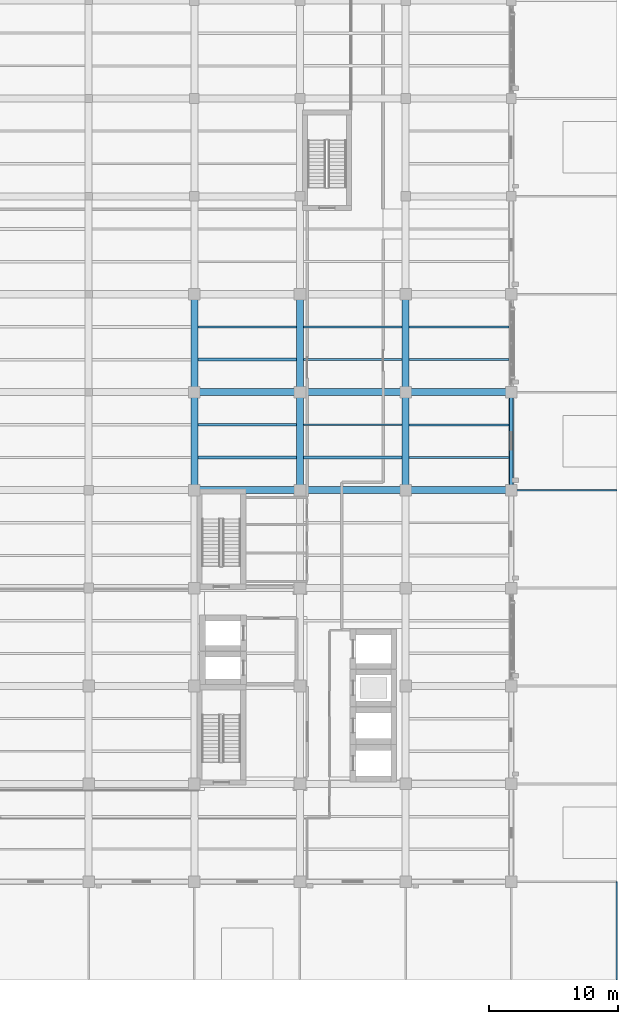
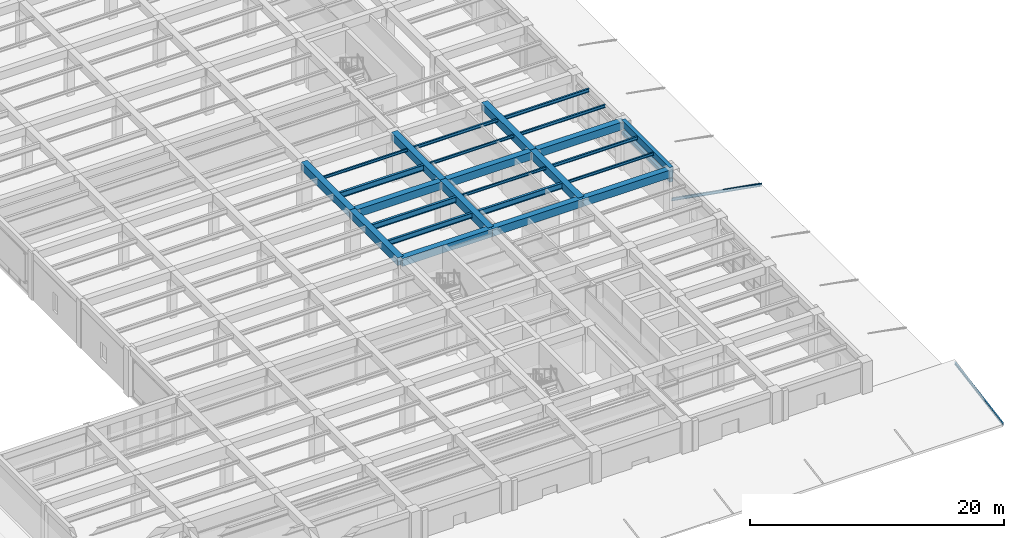
# One storey, part 22 of 57: 26 beams, 2 members.
"""IFC4 building model written with IfcOpenShell, lengths in metres."""

from ifc_helpers import new_model, si_unit, direction, frame, origin, origin_2d, place, context, subcontext, project, spatial, rectangle, i_section, extrude, material, material_profile, profile_set, type_object, element, save


model = new_model("IFC4")

# Units and contexts
model_context = context("Model", 3, precision=1e-05, world=origin(), true_north=direction((0.0, 1.0)))
body_context = subcontext(model_context, "Body", "Model", "MODEL_VIEW")
ifc_project = project(units=[si_unit("LENGTHUNIT", "METRE"), si_unit("AREAUNIT", "SQUARE_METRE"), si_unit("VOLUMEUNIT", "CUBIC_METRE"), si_unit("PLANEANGLEUNIT", "RADIAN"), si_unit("MASSUNIT", "GRAM", prefix="KILO")], contexts=[model_context])

# Site, building, storey
site_placement = place(None, origin())
site = spatial("IfcSite", under=ifc_project, at=site_placement, CompositionType="ELEMENT")
building_placement = place(site_placement, origin())
building = spatial("IfcBuilding", under=site, at=building_placement, Name="Qandaris Square Conservatory and Botanical Centre", CompositionType="ELEMENT")
storey_placement = place(building_placement, frame((0.0, 0.0, 5.39990234375)))
storey = spatial("IfcBuildingStorey", under=building, at=storey_placement, Name="L01", CompositionType="ELEMENT", Elevation=5.39990234375)

# Member
ifc_material_1 = material(Name="Steel S355", Category="steel")
ifc_material_profile_1 = material_profile(ifc_material_1, i_section(OverallWidth=0.1201171875, OverallDepth=0.239990234375, WebThickness=0.006103515625, FlangeThickness=0.009765625, FilletRadius=0.014892578125, at=origin_2d()), Name="IPE 240")
ifc_profile_set_1 = profile_set([ifc_material_profile_1], Name="Steel S355")
member_type_1 = type_object("IfcMemberType", Name="Colonnade Prairie Rafter IPE 240", PredefinedType="RAFTER", material=ifc_profile_set_1)
member_1_placement = place(storey_placement, frame((172.0, 9.0, 0.0), z_axis=(0.0, 0.985248666016, 0.17112879978), x_axis=(-1.0, 0.0, 0.0)))
element("IfcMember", 1, at=member_1_placement, inside=storey, type_object=member_type_1, Name="Colonnade South Rafter 033", PredefinedType="RAFTER", context=body_context, shape_type="SweptSolid", body=[
    extrude(i_section(OverallWidth=0.1201171875, OverallDepth=0.239990234375, WebThickness=0.006103515625, FlangeThickness=0.009765625, FilletRadius=0.014892578125, at=origin_2d()), origin(), (0.0, 0.0, 1.0), 7.7138671875),
])

# Beams
ifc_material_profile_2 = material_profile(ifc_material_1, i_section(OverallWidth=0.199951171875, OverallDepth=0.5, WebThickness=0.01025390625, FlangeThickness=0.01611328125, FilletRadius=0.02099609375, at=origin_2d()), Name="IPE 500")
ifc_profile_set_2 = profile_set([ifc_material_profile_2], Name="Steel S355")
beam_type_1 = type_object("IfcBeamType", Name="Composite Gallery Joist IPE 500", PredefinedType="JOIST", material=ifc_profile_set_2)
beam_1_placement = place(storey_placement, frame((139.47509765625, 49.533203125, 4.260009765625), z_axis=(1.0, 0.0, 0.0), x_axis=(0.0, 1.0, 0.0)))
element("IfcBeam", 2, at=beam_1_placement, inside=storey, type_object=beam_type_1, Name="L01 Composite Joist 1236", PredefinedType="JOIST", context=body_context, shape_type="SweptSolid", body=[
    extrude(i_section(OverallWidth=0.199951171875, OverallDepth=0.5, WebThickness=0.01025390625, FlangeThickness=0.01611328125, FilletRadius=0.02099609375, at=origin_2d()), origin(), (0.0, 0.0, 1.0), 7.64990234375),
])
ifc_material_profile_3 = material_profile(ifc_material_1, i_section(OverallWidth=0.14990234375, OverallDepth=0.300048828125, WebThickness=0.007080078125, FlangeThickness=0.0107421875, FilletRadius=0.014892578125, at=origin_2d()), Name="IPE 300")
ifc_profile_set_3 = profile_set([ifc_material_profile_3], Name="Steel S355")
beam_type_2 = type_object("IfcBeamType", Name="Composite Lab Joist IPE 300", PredefinedType="JOIST", material=ifc_profile_set_3)
beam_2_placement = place(storey_placement, frame((147.675048828125, 59.666748046875, 4.360107421875), z_axis=(1.0, 0.0, 0.0), x_axis=(0.0, 1.0, 0.0)))
element("IfcBeam", 3, at=beam_2_placement, inside=storey, type_object=beam_type_2, Name="L01 Composite Joist 1258", PredefinedType="JOIST", context=body_context, shape_type="SweptSolid", body=[
    extrude(i_section(OverallWidth=0.14990234375, OverallDepth=0.300048828125, WebThickness=0.007080078125, FlangeThickness=0.0107421875, FilletRadius=0.014892578125, at=origin_2d()), origin(), (0.0, 0.0, 1.0), 7.64990234375),
])
for number, where, z_axis, x_axis, name in (
    (4, (155.875, 52.066650390625, 4.360107421875), (1.0, 0.0, 0.0), (0.0, 1.0, 0.0), "L01 Composite Joist 1276"),
    (5, (155.875, 57.13330078125, 4.360107421875), (1.0, 0.0, 0.0), (0.0, 1.0, 0.0), "L01 Composite Joist 1277"),
):
    element("IfcBeam", number, at=place(storey_placement, frame(where, z_axis=z_axis, x_axis=x_axis)), inside=storey, type_object=beam_type_2, Name=name, PredefinedType="JOIST", context=body_context, shape_type="SweptSolid", body=[
        extrude(i_section(OverallWidth=0.14990234375, OverallDepth=0.300048828125, WebThickness=0.007080078125, FlangeThickness=0.0107421875, FilletRadius=0.014892578125, at=origin_2d()), origin(), (0.0, 0.0, 1.0), 7.75),
    ])
ifc_material_profile_4 = material_profile(ifc_material_1, i_section(OverallWidth=0.159912109375, OverallDepth=0.330078125, WebThickness=0.007568359375, FlangeThickness=0.011474609375, FilletRadius=0.01806640625, at=origin_2d()), Name="IPE 330")
ifc_profile_set_4 = profile_set([ifc_material_profile_4], Name="Steel S355")
beam_type_3 = type_object("IfcBeamType", Name="Composite Lab Joist IPE 330", PredefinedType="JOIST", material=ifc_profile_set_4)
beam_3_placement = place(storey_placement, frame((155.875, 59.666748046875, 4.34521484375), z_axis=(1.0, 0.0, 0.0), x_axis=(0.0, 1.0, 0.0)))
element("IfcBeam", 6, at=beam_3_placement, inside=storey, type_object=beam_type_3, Name="L01 Composite Joist 1278", PredefinedType="JOIST", context=body_context, shape_type="SweptSolid", body=[
    extrude(i_section(OverallWidth=0.159912109375, OverallDepth=0.330078125, WebThickness=0.007568359375, FlangeThickness=0.011474609375, FilletRadius=0.01806640625, at=origin_2d()), origin(), (0.0, 0.0, 1.0), 7.75),
])
ifc_material_profile_5 = material_profile(ifc_material_1, i_section(OverallWidth=0.2099609375, OverallDepth=0.550048828125, WebThickness=0.010986328125, FlangeThickness=0.01708984375, FilletRadius=0.02392578125, at=origin_2d()), Name="IPE 550")
ifc_profile_set_5 = profile_set([ifc_material_profile_5], Name="Steel S355")
beam_type_4 = type_object("IfcBeamType", Name="Long-Span Foyer Joist IPE 550", PredefinedType="JOIST", material=ifc_profile_set_5)
for number, where, z_axis, x_axis, name in (
    (7, (139.47509765625, 52.066650390625, 4.235107421875), (1.0, 0.0, 0.0), (0.0, 1.0, 0.0), "L01 Composite Joist 1237"),
    (8, (139.47509765625, 57.13330078125, 4.235107421875), (1.0, 0.0, 0.0), (0.0, 1.0, 0.0), "L01 Composite Joist 1238"),
    (9, (147.675048828125, 49.533203125, 4.235107421875), (1.0, 0.0, 0.0), (0.0, 1.0, 0.0), "L01 Composite Joist 1255"),
):
    element("IfcBeam", number, at=place(storey_placement, frame(where, z_axis=z_axis, x_axis=x_axis)), inside=storey, type_object=beam_type_4, Name=name, PredefinedType="JOIST", context=body_context, shape_type="SweptSolid", body=[
        extrude(i_section(OverallWidth=0.2099609375, OverallDepth=0.550048828125, WebThickness=0.010986328125, FlangeThickness=0.01708984375, FilletRadius=0.02392578125, at=origin_2d()), origin(), (0.0, 0.0, 1.0), 7.64990234375),
    ])
ifc_material_2 = material(Name="Precast concrete C40/50", Category="concrete")
ifc_material_profile_6 = material_profile(ifc_material_2, rectangle(XDim=0.300048828125, YDim=0.35009765625, at=origin_2d()), Name="RC-LN 300x350")
ifc_profile_set_6 = profile_set([ifc_material_profile_6], Name="Precast concrete C40/50")
beam_type_5 = type_object("IfcBeamType", Name="Precast Opening Lintel 300x350", PredefinedType="LINTEL", material=ifc_profile_set_6)
beam_4_placement = place(storey_placement, frame((163.800048828125, 47.0, 3.295166015625), z_axis=(0.0, 1.0, 0.0), x_axis=(-1.0, 0.0, 0.0)))
element("IfcBeam", 10, at=beam_4_placement, inside=storey, type_object=beam_type_5, Name="Precast Lintel 018", PredefinedType="LINTEL", context=body_context, shape_type="SweptSolid", body=[
    extrude(rectangle(XDim=0.300048828125, YDim=0.35009765625, at=origin_2d()), origin(), (0.0, 0.0, 1.0), 7.60009765625),
])
ifc_material_3 = material(Name="Concrete C50/60", Category="concrete")
ifc_material_profile_7 = material_profile(ifc_material_3, rectangle(XDim=0.35009765625, YDim=0.60009765625, at=origin_2d()), Name="RC-SP 350x600")
ifc_profile_set_7 = profile_set([ifc_material_profile_7], Name="Concrete C50/60")
beam_type_6 = type_object("IfcBeamType", Name="RC Edge Spandrel Beam 350x600", PredefinedType="SPANDREL", material=ifc_profile_set_7)
beam_5_placement = place(storey_placement, frame((163.800048828125, 47.0, 4.2451171875), z_axis=(0.0, 1.0, 0.0), x_axis=(-1.0, 0.0, 0.0)))
element("IfcBeam", 11, at=beam_5_placement, inside=storey, type_object=beam_type_6, Name="L01 Frame Beam 1147", PredefinedType="SPANDREL", context=body_context, shape_type="SweptSolid", body=[
    extrude(rectangle(XDim=0.35009765625, YDim=0.60009765625, at=origin_2d()), origin(), (0.0, 0.0, 1.0), 7.60009765625),
])
ifc_material_profile_8 = material_profile(ifc_material_3, rectangle(XDim=0.550048828125, YDim=0.75, at=origin_2d()), Name="RC-BM 550x750")
ifc_profile_set_8 = profile_set([ifc_material_profile_8], Name="Concrete C50/60")
beam_type_7 = type_object("IfcBeamType", Name="RC Plinth Girder 550x750", PredefinedType="BEAM", material=ifc_profile_set_8)
beam_6_placement = place(storey_placement, frame((139.199951171875, 47.0, 4.14501953125), z_axis=(1.0, 0.0, 0.0), x_axis=(0.0, 1.0, 0.0)))
element("IfcBeam", 12, at=beam_6_placement, inside=storey, type_object=beam_type_7, Name="L01 Frame Beam 0951", PredefinedType="BEAM", context=body_context, shape_type="SweptSolid", body=[
    extrude(rectangle(XDim=0.550048828125, YDim=0.75, at=origin_2d()), origin(), (0.0, 0.0, 1.0), 8.199951171875),
])
beam_7_placement = place(storey_placement, frame((147.39990234375, 47.0, 4.14501953125), z_axis=(1.0, 0.0, 0.0), x_axis=(0.0, 1.0, 0.0)))
element("IfcBeam", 13, at=beam_7_placement, inside=storey, type_object=beam_type_7, Name="L01 Frame Beam 0952", PredefinedType="BEAM", context=body_context, shape_type="SweptSolid", body=[
    extrude(rectangle(XDim=0.550048828125, YDim=0.75, at=origin_2d()), origin(), (0.0, 0.0, 1.0), 8.2001953125),
])
for number, where, z_axis, x_axis, name in (
    (14, (155.60009765625, 47.0, 4.14501953125), (1.0, 0.0, 0.0), (0.0, 1.0, 0.0), "L01 Frame Beam 0953"),
    (15, (139.199951171875, 54.60009765625, 4.14501953125), (1.0, 0.0, 0.0), (0.0, 1.0, 0.0), "L01 Frame Beam 0957"),
):
    element("IfcBeam", number, at=place(storey_placement, frame(where, z_axis=z_axis, x_axis=x_axis)), inside=storey, type_object=beam_type_7, Name=name, PredefinedType="BEAM", context=body_context, shape_type="SweptSolid", body=[
        extrude(rectangle(XDim=0.550048828125, YDim=0.75, at=origin_2d()), origin(), (0.0, 0.0, 1.0), 8.199951171875),
    ])
beam_8_placement = place(storey_placement, frame((147.39990234375, 54.60009765625, 4.14501953125), z_axis=(1.0, 0.0, 0.0), x_axis=(0.0, 1.0, 0.0)))
element("IfcBeam", 16, at=beam_8_placement, inside=storey, type_object=beam_type_7, Name="L01 Frame Beam 0958", PredefinedType="BEAM", context=body_context, shape_type="SweptSolid", body=[
    extrude(rectangle(XDim=0.550048828125, YDim=0.75, at=origin_2d()), origin(), (0.0, 0.0, 1.0), 8.2001953125),
])
beam_9_placement = place(storey_placement, frame((155.60009765625, 54.60009765625, 4.14501953125), z_axis=(1.0, 0.0, 0.0), x_axis=(0.0, 1.0, 0.0)))
element("IfcBeam", 17, at=beam_9_placement, inside=storey, type_object=beam_type_7, Name="L01 Frame Beam 0959", PredefinedType="BEAM", context=body_context, shape_type="SweptSolid", body=[
    extrude(rectangle(XDim=0.550048828125, YDim=0.75, at=origin_2d()), origin(), (0.0, 0.0, 1.0), 8.199951171875),
])
beam_10_placement = place(storey_placement, frame((139.199951171875, 47.0, 4.14501953125), z_axis=(0.0, 1.0, 0.0), x_axis=(-1.0, 0.0, 0.0)))
element("IfcBeam", 18, at=beam_10_placement, inside=storey, type_object=beam_type_7, Name="L01 Frame Beam 1111", PredefinedType="BEAM", context=body_context, shape_type="SweptSolid", body=[
    extrude(rectangle(XDim=0.550048828125, YDim=0.75, at=origin_2d()), origin(), (0.0, 0.0, 1.0), 7.60009765625),
])
beam_11_placement = place(storey_placement, frame((139.199951171875, 54.60009765625, 4.14501953125), z_axis=(0.0, 1.0, 0.0), x_axis=(-1.0, 0.0, 0.0)))
element("IfcBeam", 19, at=beam_11_placement, inside=storey, type_object=beam_type_7, Name="L01 Frame Beam 1112", PredefinedType="BEAM", context=body_context, shape_type="SweptSolid", body=[
    extrude(rectangle(XDim=0.550048828125, YDim=0.75, at=origin_2d()), origin(), (0.0, 0.0, 1.0), 7.599853515625),
])
beam_12_placement = place(storey_placement, frame((147.39990234375, 47.0, 4.14501953125), z_axis=(0.0, 1.0, 0.0), x_axis=(-1.0, 0.0, 0.0)))
element("IfcBeam", 20, at=beam_12_placement, inside=storey, type_object=beam_type_7, Name="L01 Frame Beam 1123", PredefinedType="BEAM", context=body_context, shape_type="SweptSolid", body=[
    extrude(rectangle(XDim=0.550048828125, YDim=0.75, at=origin_2d()), origin(), (0.0, 0.0, 1.0), 7.60009765625),
])
beam_13_placement = place(storey_placement, frame((147.39990234375, 54.60009765625, 4.14501953125), z_axis=(0.0, 1.0, 0.0), x_axis=(-1.0, 0.0, 0.0)))
element("IfcBeam", 21, at=beam_13_placement, inside=storey, type_object=beam_type_7, Name="L01 Frame Beam 1124", PredefinedType="BEAM", context=body_context, shape_type="SweptSolid", body=[
    extrude(rectangle(XDim=0.550048828125, YDim=0.75, at=origin_2d()), origin(), (0.0, 0.0, 1.0), 7.599853515625),
])
beam_14_placement = place(storey_placement, frame((155.60009765625, 47.0, 4.14501953125), z_axis=(0.0, 1.0, 0.0), x_axis=(-1.0, 0.0, 0.0)))
element("IfcBeam", 22, at=beam_14_placement, inside=storey, type_object=beam_type_7, Name="L01 Frame Beam 1135", PredefinedType="BEAM", context=body_context, shape_type="SweptSolid", body=[
    extrude(rectangle(XDim=0.550048828125, YDim=0.75, at=origin_2d()), origin(), (0.0, 0.0, 1.0), 7.60009765625),
])
beam_15_placement = place(storey_placement, frame((155.60009765625, 54.60009765625, 4.14501953125), z_axis=(0.0, 1.0, 0.0), x_axis=(-1.0, 0.0, 0.0)))
element("IfcBeam", 23, at=beam_15_placement, inside=storey, type_object=beam_type_7, Name="L01 Frame Beam 1136", PredefinedType="BEAM", context=body_context, shape_type="SweptSolid", body=[
    extrude(rectangle(XDim=0.550048828125, YDim=0.75, at=origin_2d()), origin(), (0.0, 0.0, 1.0), 7.599853515625),
])
ifc_material_profile_9 = material_profile(ifc_material_1, i_section(OverallWidth=0.135009765625, OverallDepth=0.27001953125, WebThickness=0.006591796875, FlangeThickness=0.01025390625, FilletRadius=0.014892578125, at=origin_2d()), Name="IPE 270")
ifc_profile_set_9 = profile_set([ifc_material_profile_9], Name="Steel S355")
beam_type_8 = type_object("IfcBeamType", Name="Steel Floor Joist IPE 270", PredefinedType="JOIST", material=ifc_profile_set_9)
for number, where, z_axis, x_axis, name in (
    (24, (139.47509765625, 59.666748046875, 4.375), (1.0, 0.0, 0.0), (0.0, 1.0, 0.0), "L01 Composite Joist 1239"),
    (25, (147.675048828125, 52.066650390625, 4.375), (1.0, 0.0, 0.0), (0.0, 1.0, 0.0), "L01 Composite Joist 1256"),
    (26, (147.675048828125, 57.13330078125, 4.375), (1.0, 0.0, 0.0), (0.0, 1.0, 0.0), "L01 Composite Joist 1257"),
):
    element("IfcBeam", number, at=place(storey_placement, frame(where, z_axis=z_axis, x_axis=x_axis)), inside=storey, type_object=beam_type_8, Name=name, PredefinedType="JOIST", context=body_context, shape_type="SweptSolid", body=[
        extrude(i_section(OverallWidth=0.135009765625, OverallDepth=0.27001953125, WebThickness=0.006591796875, FlangeThickness=0.01025390625, FilletRadius=0.014892578125, at=origin_2d()), origin(), (0.0, 0.0, 1.0), 7.64990234375),
    ])
beam_16_placement = place(storey_placement, frame((155.875, 49.533203125, 4.375), z_axis=(1.0, 0.0, 0.0), x_axis=(0.0, 1.0, 0.0)))
element("IfcBeam", 27, at=beam_16_placement, inside=storey, type_object=beam_type_8, Name="L01 Composite Joist 1275", PredefinedType="JOIST", context=body_context, shape_type="SweptSolid", body=[
    extrude(i_section(OverallWidth=0.135009765625, OverallDepth=0.27001953125, WebThickness=0.006591796875, FlangeThickness=0.01025390625, FilletRadius=0.014892578125, at=origin_2d()), origin(), (0.0, 0.0, 1.0), 7.75),
])

# Member
ifc_material_profile_10 = material_profile(ifc_material_1, i_section(OverallWidth=0.135009765625, OverallDepth=0.27001953125, WebThickness=0.006591796875, FlangeThickness=0.01025390625, FilletRadius=0.014892578125, at=origin_2d()), Name="IPE 270")
ifc_profile_set_10 = profile_set([ifc_material_profile_10], Name="Steel S355")
member_type_2 = type_object("IfcMemberType", Name="Visitor Wing Prairie Rafter IPE 270", PredefinedType="RAFTER", material=ifc_profile_set_10)
member_2_placement = place(storey_placement, frame((172.0, 47.0, 0.0), z_axis=(-0.984924346364, 0.0, 0.172985640849), x_axis=(0.0, -1.0, 0.0)))
element("IfcMember", 28, at=member_2_placement, inside=storey, type_object=member_type_2, Name="Colonnade East Rafter 043", PredefinedType="RAFTER", context=body_context, shape_type="SweptSolid", body=[
    extrude(i_section(OverallWidth=0.135009765625, OverallDepth=0.27001953125, WebThickness=0.006591796875, FlangeThickness=0.01025390625, FilletRadius=0.014892578125, at=origin_2d()), origin(), (0.0, 0.0, 1.0), 8.325439453125),
])

save(model, "model.ifc")
